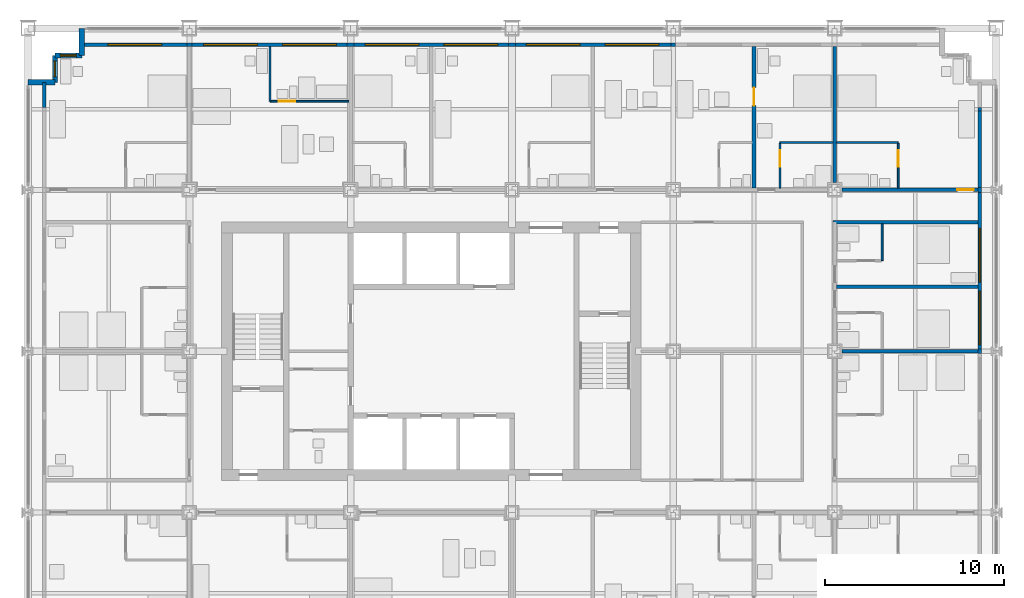
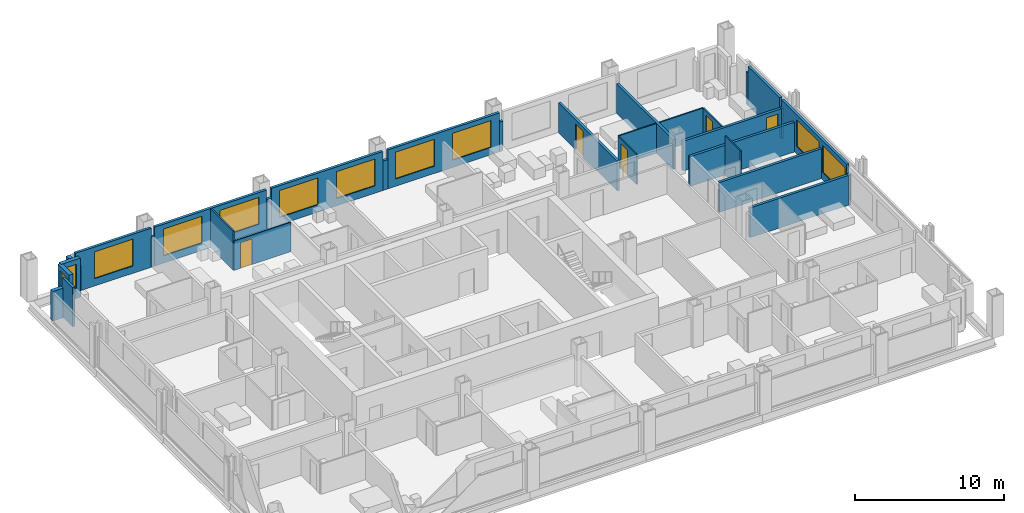
# One storey, part 14 of 18: 31 walls, 11 windows, 5 doors, 16 openings.
"""IFC4 building model written with IfcOpenShell, lengths in metres."""

import ifcopenshell
import ifcopenshell.guid

model = None  # the IFC model being written
_history = None  # IfcOwnerHistory: only IFC2X3 demands one
_inside = {}  # id of a spatial element -> (the spatial element, [elements in it])
_under = {}  # id of a project, library or spatial element -> (it, [spatial elements below it])
_declared = {}  # id of a project -> (the project, [libraries it declares])
_typed = {}  # id of a type object -> (the type object, [elements of that type])
_made_of = {}  # id of a material, layer set ... -> (it, [elements and type objects made of it])


def new_model(schema):
    """Start an empty IFC model of exactly this schema.

    Asked for "IFC4X3", IfcOpenShell would pick the latest addendum, in which some entities
    have other attributes; the version numbers below select the first issue.
    IFC2X3 requires an IfcOwnerHistory on every rooted entity: one is made here for all.
    """
    global model, _history
    if schema == "IFC4X3":
        model = ifcopenshell.file(schema_version=(4, 3, 0, 0))
    else:
        model = ifcopenshell.file(schema=schema)
    _inside.clear()
    _under.clear()
    _declared.clear()
    _typed.clear()
    _made_of.clear()
    _history = None
    if model.schema == "IFC2X3":
        org = make("IfcOrganization", Name="unknown")
        user = make(
            "IfcPersonAndOrganization",
            ThePerson=make("IfcPerson", FamilyName="unknown"),
            TheOrganization=org,
        )
        app = make(
            "IfcApplication",
            ApplicationDeveloper=org,
            Version="unknown",
            ApplicationFullName="unknown",
            ApplicationIdentifier="unknown",
        )
        _history = make(
            "IfcOwnerHistory",
            OwningUser=user,
            OwningApplication=app,
            ChangeAction="ADDED",
            CreationDate=0,
        )
    return model


def make(cls, **values):
    """One entity of the class cls with the attributes given. An attribute that is None is left unset."""
    return model.create_entity(
        cls, **{name: value for name, value in values.items() if value is not None}
    )


def rooted(cls, **values):
    """An entity with a GlobalId (a new one), such as an element, a storey or a relation."""
    return make(cls, GlobalId=ifcopenshell.guid.new(), OwnerHistory=_history, **values)


def si_unit(unit_type, name, prefix=None):
    """IfcSIUnit, for example si_unit("LENGTHUNIT", "METRE", prefix="MILLI")."""
    return make("IfcSIUnit", UnitType=unit_type, Prefix=prefix, Name=name)


def assignment(units):
    """IfcUnitAssignment: the units of a project."""
    return None if units is None else make("IfcUnitAssignment", Units=units)


def point(xyz):
    """IfcCartesianPoint."""
    return None if xyz is None else make("IfcCartesianPoint", Coordinates=xyz)


def direction(xyz):
    """IfcDirection."""
    return None if xyz is None else make("IfcDirection", DirectionRatios=xyz)


def frame(location, z_axis=None, x_axis=None):
    """IfcAxis2Placement3D, a coordinate frame: its origin and axes. An axis left out is left unset."""
    return make(
        "IfcAxis2Placement3D",
        Location=point(location),
        Axis=direction(z_axis),
        RefDirection=direction(x_axis),
    )


def frame_2d(location, x_axis=None):
    """IfcAxis2Placement2D, a coordinate frame in the plane: its origin and x axis."""
    return make(
        "IfcAxis2Placement2D", Location=point(location), RefDirection=direction(x_axis)
    )


def origin():
    """The frame at (0, 0, 0) with its axes left unset."""
    return frame((0.0, 0.0, 0.0))


def place(relative_to, where):
    """IfcLocalPlacement: puts the frame where relative to a parent placement (None: the world)."""
    return make(
        "IfcLocalPlacement", PlacementRelTo=relative_to, RelativePlacement=where
    )


def context(
    kind, dimensions, precision=None, world=None, true_north=None, identifier=None
):
    """IfcGeometricRepresentationContext, for example the 3D "Model" context."""
    return make(
        "IfcGeometricRepresentationContext",
        ContextIdentifier=identifier,
        ContextType=kind,
        CoordinateSpaceDimension=dimensions,
        Precision=precision,
        WorldCoordinateSystem=world,
        TrueNorth=true_north,
    )


def subcontext(parent, identifier, kind, view, scale=None):
    """IfcGeometricRepresentationSubContext, for example "Body" below "Model"."""
    return make(
        "IfcGeometricRepresentationSubContext",
        ContextIdentifier=identifier,
        ContextType=kind,
        ParentContext=parent,
        TargetScale=scale,
        TargetView=view,
    )


def project(units=None, contexts=None):
    """IfcProject with its units and contexts."""
    return rooted(
        "IfcProject",
        Name="project",
        RepresentationContexts=contexts,
        UnitsInContext=assignment(units),
    )


def spatial(cls, under=None, at=None, **own):
    """A site, building, storey or space (cls), placed at a placement, below another one or the project."""
    s = rooted(cls, ObjectPlacement=at, **own)
    if under is not None:
        _under.setdefault(under.id(), (under, []))[1].append(s)
    return s


def profile(cls, at=None, kind="AREA", **sizes):
    """A parametric profile (cls). Its sizes go by their IFC names, for example OverallWidth=200.0."""
    return make(cls, ProfileType=kind, Position=at, **sizes)


def rectangle(**sizes):
    """IfcRectangleProfileDef."""
    return profile("IfcRectangleProfileDef", **sizes)


def extrude(swept, where, along, depth):
    """IfcExtrudedAreaSolid: the profile swept, set in the frame where, extruded along a direction by depth."""
    return make(
        "IfcExtrudedAreaSolid",
        SweptArea=swept,
        Position=where,
        ExtrudedDirection=direction(along),
        Depth=depth,
    )


def shape(context_of_items, identifier, shape_type, items):
    """IfcShapeRepresentation: the items that make up one representation, for example the "Body"."""
    return make(
        "IfcShapeRepresentation",
        ContextOfItems=context_of_items,
        RepresentationIdentifier=identifier,
        RepresentationType=shape_type,
        Items=items,
    )


def material(Name=None, Category=None):
    """IfcMaterial."""
    return make("IfcMaterial", Name=Name, Category=Category)


def layer(
    of_material, thickness, ventilated=None, Name=None, Category=None, Priority=None
):
    """IfcMaterialLayer: one layer of a wall or slab, of a material (None: an air gap)."""
    return make(
        "IfcMaterialLayer",
        Material=of_material,
        LayerThickness=thickness,
        IsVentilated=ventilated,
        Name=Name,
        Category=Category,
        Priority=Priority,
    )


def layer_set(layers, Name=None):
    """IfcMaterialLayerSet."""
    return make("IfcMaterialLayerSet", MaterialLayers=layers, LayerSetName=Name)


def made_of(thing, what):
    """Note that an element or type object is made of a material, layer set ...; save() writes the relation."""
    if what is not None:
        _made_of.setdefault(what.id(), (what, []))[1].append(thing)
    return thing


def type_object(cls, material=None, **own):
    """A type object (cls), such as IfcWallType, which elements share."""
    return made_of(rooted(cls, **own), material)


def element(
    cls,
    number,
    at=None,
    inside=None,
    cuts=None,
    type_object=None,
    material=None,
    context=None,
    identifier="Body",
    shape_type=None,
    held_by="IfcProductDefinitionShape",
    body=None,
    shapes=None,
    **own,
):
    """One element of the class cls, such as IfcWall. Its Tag is "e" and its number.

    at: its placement. inside: the storey or other place that contains it. cuts: it is an
    opening in that element (IfcRelVoidsElement). A single representation is given by context,
    identifier, shape_type and body (its items); several are given by shapes. held_by: the class
    of the entity that holds the representations. save() writes the other relations.
    """
    e = rooted(cls, Tag="e%d" % number, ObjectPlacement=at, **own)
    if body is not None:
        shapes = [shape(context, identifier, shape_type, body)]
    if shapes is not None:
        e.Representation = make(held_by, Representations=shapes)
    if inside is not None:
        _inside.setdefault(inside.id(), (inside, []))[1].append(e)
    if cuts is not None:
        rooted(
            "IfcRelVoidsElement", RelatingBuildingElement=cuts, RelatedOpeningElement=e
        )
    if type_object is not None:
        _typed.setdefault(type_object.id(), (type_object, []))[1].append(e)
    return made_of(e, material)


def fill(opening, filler):
    """IfcRelFillsElement: the door or window that sits in an opening."""
    return rooted(
        "IfcRelFillsElement",
        RelatingOpeningElement=opening,
        RelatedBuildingElement=filler,
    )


def aggregate(whole, parts):
    """IfcRelAggregates: a whole, such as a stair, and the parts it consists of."""
    return rooted("IfcRelAggregates", RelatingObject=whole, RelatedObjects=parts)


def save(model, path):
    """Write the relations noted so far, then the file.

    IfcRelAggregates (storeys below a building ...), IfcRelContainedInSpatialStructure (elements
    in a storey), IfcRelDefinesByType, IfcRelAssociatesMaterial and IfcRelDeclares: one each for
    every whole, place, type object, material and project.
    """
    for whole, parts in _under.values():
        aggregate(whole, parts)
    for where, things in _inside.values():
        rooted(
            "IfcRelContainedInSpatialStructure",
            RelatedElements=things,
            RelatingStructure=where,
        )
    for kind, things in _typed.values():
        rooted("IfcRelDefinesByType", RelatedObjects=things, RelatingType=kind)
    for what, things in _made_of.values():
        rooted("IfcRelAssociatesMaterial", RelatedObjects=things, RelatingMaterial=what)
    for by, libraries in _declared.values():
        rooted("IfcRelDeclares", RelatingContext=by, RelatedDefinitions=libraries)
    model.write(path)


model = new_model("IFC4")

# Units and contexts
model_context = context("Model", 3, precision=1e-05, world=origin(), true_north=direction((0.0, 1.0)))
body_context = subcontext(model_context, "Body", "Model", "MODEL_VIEW")
ifc_project = project(units=[si_unit("LENGTHUNIT", "METRE"), si_unit("AREAUNIT", "SQUARE_METRE"), si_unit("VOLUMEUNIT", "CUBIC_METRE"), si_unit("PLANEANGLEUNIT", "RADIAN"), si_unit("MASSUNIT", "GRAM", prefix="KILO")], contexts=[model_context])

# Site, building, storey
site_placement = place(None, origin())
site = spatial("IfcSite", under=ifc_project, at=site_placement, CompositionType="ELEMENT")
building_placement = place(site_placement, origin())
building = spatial("IfcBuilding", under=site, at=building_placement, Name="Loomwork Tower", CompositionType="ELEMENT")
storey_placement = place(building_placement, frame((0.0, 0.0, 72.199951171875)))
storey = spatial("IfcBuildingStorey", under=building, at=storey_placement, Name="L18", CompositionType="ELEMENT", Elevation=72.199951171875)

# Wall, opening, door
ifc_material_1 = material(Name="Gypsum board on steel studs, one-hour", Category="steel")
ifc_layer_1 = layer(ifc_material_1, 0.199951171875)
ifc_layer_set_1 = layer_set([ifc_layer_1], Name="Corridor wall 200")
wall_type_1 = type_object("IfcWallType", Name="Corridor wall 200", PredefinedType="PARTITIONING", material=ifc_layer_set_1)
wall_1_placement = place(storey_placement, frame((45.39990234375, 27.0, 0.0), z_axis=(0.0, 0.0, 1.0), x_axis=(1.0, 0.0, 0.0)))
wall_1 = element("IfcWall", 1, at=wall_1_placement, inside=storey, type_object=wall_type_1, Name="North corridor wall 6", PredefinedType="PARTITIONING", context=body_context, shape_type="SweptSolid", body=[
    extrude(rectangle(XDim=7.60009765625, YDim=0.199951171875, at=frame_2d((3.800048828125, 0.0))), origin(), (0.0, 0.0, 1.0), 2.43798828125),
])
opening_1_placement = place(wall_1_placement, frame((6.449951171875, 0.0, 0.0)))
opening_1 = element("IfcOpeningElement", 2, at=opening_1_placement, cuts=wall_1, Name="Opening D1", PredefinedType="OPENING", context=body_context, shape_type="SweptSolid", body=[
    extrude(rectangle(XDim=0.89990234375, YDim=2.10009765625, at=frame_2d((0.449951171875, 1.050048828125))), frame((0.0, 0.10986328125, 0.0), z_axis=(0.0, -1.0, 0.0), x_axis=(1.0, 0.0, 0.0)), (0.0, 0.0, 1.0), 0.219970703125),
])
ifc_material_2 = material(Name="Hollow metal door and frame")
door_type_1 = type_object("IfcDoorType", Name="Guest room entry door 900", OperationType="SINGLE_SWING_LEFT", PredefinedType="DOOR", material=ifc_material_2)
door_1_placement = place(opening_1_placement, origin())
door_1 = element("IfcDoor", 3, at=door_1_placement, inside=storey, type_object=door_type_1, Name="Guest room entry door L18 13", OperationType="SINGLE_SWING_RIGHT", OverallHeight=2.10009765625, OverallWidth=0.89990234375, PredefinedType="DOOR", context=body_context, shape_type="SweptSolid", body=[
    extrude(rectangle(XDim=0.89990234375, YDim=2.10009765625, at=frame_2d((0.449951171875, 1.050048828125))), frame((0.0, 0.02490234375, 0.0), z_axis=(0.0, -1.0, 0.0), x_axis=(1.0, 0.0, 0.0)), (0.0, 0.0, 1.0), 0.050048828125),
])
fill(opening_1, door_1)

# Wall
wall_2_placement = place(storey_placement, frame((44.89990234375, 25.199951171875, 0.0), z_axis=(0.0, 0.0, 1.0), x_axis=(1.0, 0.0, 0.0)))
element("IfcWall", 4, at=wall_2_placement, inside=storey, type_object=wall_type_1, Name="East band end wall N", PredefinedType="PARTITIONING", context=body_context, shape_type="SweptSolid", body=[
    extrude(rectangle(XDim=8.10009765625, YDim=0.199951171875, at=frame_2d((4.050048828125, 0.0))), origin(), (0.0, 0.0, 1.0), 2.43798828125),
])

# Wall, opening, door
ifc_material_3 = material(Name="Cement board on steel studs", Category="steel")
ifc_layer_2 = layer(ifc_material_3, 0.10009765625)
ifc_layer_set_2 = layer_set([ifc_layer_2], Name="En-suite partition 100")
wall_type_2 = type_object("IfcWallType", Name="En-suite partition 100", PredefinedType="PARTITIONING", material=ifc_layer_set_2)
wall_3_placement = place(storey_placement, frame((13.5, 31.949951171875, 0.0), z_axis=(0.0, 0.0, 1.0), x_axis=(1.0, 0.0, 0.0)))
wall_3 = element("IfcWall", 5, at=wall_3_placement, inside=storey, type_object=wall_type_2, Name="Spa bathroom wall L18 room 8", PredefinedType="PARTITIONING", context=body_context, shape_type="SweptSolid", body=[
    extrude(rectangle(XDim=4.39990234375, YDim=0.10009765625, at=frame_2d((2.199951171875, 0.0))), origin(), (0.0, 0.0, 1.0), 2.404052734375),
])
opening_2_placement = place(wall_3_placement, frame((0.5, 0.0, 0.0)))
opening_2 = element("IfcOpeningElement", 6, at=opening_2_placement, cuts=wall_3, Name="Opening D2", PredefinedType="OPENING", context=body_context, shape_type="SweptSolid", body=[
    extrude(rectangle(XDim=0.89990234375, YDim=2.10009765625, at=frame_2d((0.449951171875, 1.050048828125))), frame((0.0, 0.06005859375, 0.0), z_axis=(0.0, -1.0, 0.0), x_axis=(1.0, 0.0, 0.0)), (0.0, 0.0, 1.0), 0.1201171875),
])
ifc_material_4 = material(Name="Hollow metal door and frame")
door_type_2 = type_object("IfcDoorType", Name="En-suite door 900", OperationType="SINGLE_SWING_LEFT", PredefinedType="DOOR", material=ifc_material_4)
door_2_placement = place(opening_2_placement, origin())
door_2 = element("IfcDoor", 7, at=door_2_placement, inside=storey, type_object=door_type_2, Name="Spa bathroom door room 8", OperationType="SINGLE_SWING_LEFT", OverallHeight=2.10009765625, OverallWidth=0.89990234375, PredefinedType="DOOR", context=body_context, shape_type="SweptSolid", body=[
    extrude(rectangle(XDim=0.89990234375, YDim=2.10009765625, at=frame_2d((0.449951171875, 1.050048828125))), frame((0.0, 0.02490234375, 0.0), z_axis=(0.0, -1.0, 0.0), x_axis=(1.0, 0.0, 0.0)), (0.0, 0.0, 1.0), 0.050048828125),
])
fill(opening_2, door_2)

# Walls
wall_4_placement = place(storey_placement, frame((13.5, 31.949951171875, 0.0), z_axis=(0.0, 0.0, 1.0), x_axis=(0.0, 1.0, 0.0)))
element("IfcWall", 8, at=wall_4_placement, inside=storey, type_object=wall_type_2, Name="Spa bathroom side wall L18 room 8", PredefinedType="PARTITIONING", context=body_context, shape_type="SweptSolid", body=[
    extrude(rectangle(XDim=3.050048828125, YDim=0.10009765625, at=frame_2d((1.52490234375, 0.0))), origin(), (0.0, 0.0, 1.0), 3.199951171875),
])
wall_5_placement = place(storey_placement, frame((41.949951171875, 29.64990234375, 0.0), z_axis=(0.0, 0.0, 1.0), x_axis=(1.0, 0.0, 0.0)))
element("IfcWall", 9, at=wall_5_placement, inside=storey, type_object=wall_type_2, Name="En-suite wall L18 room 12", PredefinedType="PARTITIONING", context=body_context, shape_type="SweptSolid", body=[
    extrude(rectangle(XDim=2.949951171875, YDim=0.10009765625, at=frame_2d((1.47509765625, 0.0))), origin(), (0.0, 0.0, 1.0), 2.43798828125),
])

# Wall, opening, door
wall_6_placement = place(storey_placement, frame((41.949951171875, 27.10009765625, 0.0), z_axis=(0.0, 0.0, 1.0), x_axis=(0.0, 1.0, 0.0)))
wall_6 = element("IfcWall", 10, at=wall_6_placement, inside=storey, type_object=wall_type_2, Name="En-suite side wall L18 room 12", PredefinedType="PARTITIONING", context=body_context, shape_type="SweptSolid", body=[
    extrude(rectangle(XDim=2.5, YDim=0.10009765625, at=frame_2d((1.25, 0.0))), origin(), (0.0, 0.0, 1.0), 2.43798828125),
])
opening_3_placement = place(wall_6_placement, frame((1.199951171875, 0.0, 0.0)))
opening_3 = element("IfcOpeningElement", 11, at=opening_3_placement, cuts=wall_6, Name="Opening D2", PredefinedType="OPENING", context=body_context, shape_type="SweptSolid", body=[
    extrude(rectangle(XDim=0.89990234375, YDim=2.10009765625, at=frame_2d((0.449951171875, 1.050048828125))), frame((0.0, 0.06005859375, 0.0), z_axis=(0.0, -1.0, 0.0), x_axis=(1.0, 0.0, 0.0)), (0.0, 0.0, 1.0), 0.1201171875),
])
door_3_placement = place(opening_3_placement, frame((0.89990234375, 0.0, 0.0), z_axis=(0.0, 0.0, 1.0), x_axis=(-1.0, 0.0, 0.0)))
door_3 = element("IfcDoor", 12, at=door_3_placement, inside=storey, type_object=door_type_2, Name="En-suite door room 12", OperationType="SINGLE_SWING_LEFT", OverallHeight=2.10009765625, OverallWidth=0.89990234375, PredefinedType="DOOR", context=body_context, shape_type="SweptSolid", body=[
    extrude(rectangle(XDim=0.89990234375, YDim=2.10009765625, at=frame_2d((0.449951171875, 1.050048828125))), frame((0.0, 0.02490234375, 0.0), z_axis=(0.0, -1.0, 0.0), x_axis=(1.0, 0.0, 0.0)), (0.0, 0.0, 1.0), 0.050048828125),
])
fill(opening_3, door_3)

# Wall
wall_7_placement = place(storey_placement, frame((45.10009765625, 29.64990234375, 0.0), z_axis=(0.0, 0.0, 1.0), x_axis=(1.0, 0.0, 0.0)))
element("IfcWall", 13, at=wall_7_placement, inside=storey, type_object=wall_type_2, Name="En-suite wall L18 room 13", PredefinedType="PARTITIONING", context=body_context, shape_type="SweptSolid", body=[
    extrude(rectangle(XDim=3.449951171875, YDim=0.10009765625, at=frame_2d((1.72509765625, 0.0))), origin(), (0.0, 0.0, 1.0), 2.43798828125),
])

# Wall, opening, door
wall_8_placement = place(storey_placement, frame((48.550048828125, 27.10009765625, 0.0), z_axis=(0.0, 0.0, 1.0), x_axis=(0.0, 1.0, 0.0)))
wall_8 = element("IfcWall", 14, at=wall_8_placement, inside=storey, type_object=wall_type_2, Name="En-suite side wall L18 room 13", PredefinedType="PARTITIONING", context=body_context, shape_type="SweptSolid", body=[
    extrude(rectangle(XDim=2.5, YDim=0.10009765625, at=frame_2d((1.25, 0.0))), origin(), (0.0, 0.0, 1.0), 2.43798828125),
])
opening_4_placement = place(wall_8_placement, frame((1.199951171875, 0.0, 0.0)))
opening_4 = element("IfcOpeningElement", 15, at=opening_4_placement, cuts=wall_8, Name="Opening D2", PredefinedType="OPENING", context=body_context, shape_type="SweptSolid", body=[
    extrude(rectangle(XDim=0.89990234375, YDim=2.10009765625, at=frame_2d((0.449951171875, 1.050048828125))), frame((0.0, 0.06005859375, 0.0), z_axis=(0.0, -1.0, 0.0), x_axis=(1.0, 0.0, 0.0)), (0.0, 0.0, 1.0), 0.1201171875),
])
door_4_placement = place(opening_4_placement, origin())
door_4 = element("IfcDoor", 16, at=door_4_placement, inside=storey, type_object=door_type_2, Name="En-suite door room 13", OperationType="SINGLE_SWING_RIGHT", OverallHeight=2.10009765625, OverallWidth=0.89990234375, PredefinedType="DOOR", context=body_context, shape_type="SweptSolid", body=[
    extrude(rectangle(XDim=0.89990234375, YDim=2.10009765625, at=frame_2d((0.449951171875, 1.050048828125))), frame((0.0, 0.02490234375, 0.0), z_axis=(0.0, -1.0, 0.0), x_axis=(1.0, 0.0, 0.0)), (0.0, 0.0, 1.0), 0.050048828125),
])
fill(opening_4, door_4)

# Wall
wall_9_placement = place(storey_placement, frame((47.64990234375, 23.050048828125, 0.0), z_axis=(0.0, 0.0, 1.0), x_axis=(0.0, 1.0, 0.0)))
element("IfcWall", 17, at=wall_9_placement, inside=storey, type_object=wall_type_2, Name="En-suite wall L18 room 18", PredefinedType="PARTITIONING", context=body_context, shape_type="SweptSolid", body=[
    extrude(rectangle(XDim=2.050048828125, YDim=0.10009765625, at=frame_2d((1.02490234375, 0.0))), origin(), (0.0, 0.0, 1.0), 3.199951171875),
])

# Wall, opening, door
ifc_material_5 = material(Name="Gypsum board on steel studs, acoustic", Category="steel")
ifc_layer_3 = layer(ifc_material_5, 0.199951171875)
ifc_layer_set_3 = layer_set([ifc_layer_3], Name="Guest room party wall 200")
wall_type_3 = type_object("IfcWallType", Name="Guest room party wall 200", PredefinedType="PARTITIONING", material=ifc_layer_set_3)
wall_10_placement = place(storey_placement, frame((40.5, 27.10009765625, 0.0), z_axis=(0.0, 0.0, 1.0), x_axis=(0.0, 1.0, 0.0)))
wall_10 = element("IfcWall", 18, at=wall_10_placement, inside=storey, type_object=wall_type_3, Name="Guest room party wall N 40.5", PredefinedType="PARTITIONING", context=body_context, shape_type="SweptSolid", body=[
    extrude(rectangle(XDim=7.89990234375, YDim=0.199951171875, at=frame_2d((3.949951171875, 0.0))), origin(), (0.0, 0.0, 1.0), 2.43798828125),
])
opening_5_placement = place(wall_10_placement, frame((4.60009765625, 0.0, 0.0)))
opening_5 = element("IfcOpeningElement", 19, at=opening_5_placement, cuts=wall_10, Name="Opening D7", PredefinedType="OPENING", context=body_context, shape_type="SweptSolid", body=[
    extrude(rectangle(XDim=1.0, YDim=2.10009765625, at=frame_2d((0.5, 1.050048828125))), frame((0.0, 0.10986328125, 0.0), z_axis=(0.0, -1.0, 0.0), x_axis=(1.0, 0.0, 0.0)), (0.0, 0.0, 1.0), 0.219970703125),
])
ifc_material_6 = material(Name="Hollow metal door and frame")
door_type_3 = type_object("IfcDoorType", Name="Room door 1000", OperationType="SINGLE_SWING_LEFT", PredefinedType="DOOR", material=ifc_material_6)
door_5_placement = place(opening_5_placement, frame((1.0, 0.0, 0.0), z_axis=(0.0, 0.0, 1.0), x_axis=(-1.0, 0.0, 0.0)))
door_5 = element("IfcDoor", 20, at=door_5_placement, inside=storey, type_object=door_type_3, Name="Suite connecting door L18 N 40.5", OperationType="SINGLE_SWING_RIGHT", OverallHeight=2.10009765625, OverallWidth=1.0, PredefinedType="DOOR", context=body_context, shape_type="SweptSolid", body=[
    extrude(rectangle(XDim=1.0, YDim=2.10009765625, at=frame_2d((0.5, 1.050048828125))), frame((0.0, 0.02490234375, 0.0), z_axis=(0.0, -1.0, 0.0), x_axis=(1.0, 0.0, 0.0)), (0.0, 0.0, 1.0), 0.050048828125),
])
fill(opening_5, door_5)

# Walls
for number, where, z_axis, x_axis, name in (
    (21, (45.0, 27.39990234375, 0.0), (0.0, 0.0, 1.0), (0.0, 1.0, 0.0), "Guest room party wall N 45"),
    (22, (45.39990234375, 18.0, 0.0), (0.0, 0.0, 1.0), (1.0, 0.0, 0.0), "Guest room party wall E 18"),
):
    element("IfcWall", number, at=place(storey_placement, frame(where, z_axis=z_axis, x_axis=x_axis)), inside=storey, type_object=wall_type_3, Name=name, PredefinedType="PARTITIONING", context=body_context, shape_type="SweptSolid", body=[
        extrude(rectangle(XDim=7.60009765625, YDim=0.199951171875, at=frame_2d((3.800048828125, 0.0))), origin(), (0.0, 0.0, 1.0), 2.43798828125),
    ])
wall_11_placement = place(storey_placement, frame((45.10009765625, 21.60009765625, 0.0), z_axis=(0.0, 0.0, 1.0), x_axis=(1.0, 0.0, 0.0)))
element("IfcWall", 23, at=wall_11_placement, inside=storey, type_object=wall_type_3, Name="Guest room party wall E 21.6", PredefinedType="PARTITIONING", context=body_context, shape_type="SweptSolid", body=[
    extrude(rectangle(XDim=7.89990234375, YDim=0.199951171875, at=frame_2d((3.949951171875, 0.0))), origin(), (0.0, 0.0, 1.0), 2.43798828125),
])

# Wall, opening, window
ifc_material_7 = material(Name="Insulated steel stud wall with gypsum lining", Category="steel")
ifc_layer_4 = layer(ifc_material_7, 0.199951171875)
ifc_layer_set_4 = layer_set([ifc_layer_4], Name="Inner skin wall 200")
wall_type_4 = type_object("IfcWallType", Name="Inner skin wall 200", PredefinedType="SOLIDWALL", material=ifc_layer_set_4)
wall_12_placement = place(storey_placement, frame((3.0, 35.10009765625, 0.0), z_axis=(0.0, 0.0, 1.0), x_axis=(1.0, 0.0, 0.0)))
wall_12 = element("IfcWall", 24, at=wall_12_placement, inside=storey, type_object=wall_type_4, Name="Inner skin wall N", PredefinedType="SOLIDWALL", context=body_context, shape_type="SweptSolid", body=[
    extrude(rectangle(XDim=5.86474609375, YDim=0.199951171875, at=frame_2d((2.932373046875, 0.0))), origin(), (0.0, 0.0, 1.0), 3.199951171875),
])
opening_6_placement = place(wall_12_placement, frame((1.449951171875, 0.0, 0.60009765625)))
opening_6 = element("IfcOpeningElement", 25, at=opening_6_placement, cuts=wall_12, Name="Opening CH1", PredefinedType="OPENING", context=body_context, shape_type="SweptSolid", body=[
    extrude(rectangle(XDim=3.0, YDim=2.199951171875, at=frame_2d((1.5, 1.10009765625))), frame((0.0, 0.10986328125, 0.0), z_axis=(0.0, -1.0, 0.0), x_axis=(1.0, 0.0, 0.0)), (0.0, 0.0, 1.0), 0.219970703125),
])
ifc_material_8 = material(Name="Aluminium frame with clear insulated glass", Category="aluminium")
window_type_1 = type_object("IfcWindowType", Name="Chicago window 3000", PartitioningType="TRIPLE_PANEL_VERTICAL", PredefinedType="WINDOW", material=ifc_material_8)
window_1_placement = place(opening_6_placement, origin())
window_1 = element("IfcWindow", 26, at=window_1_placement, inside=storey, type_object=window_type_1, Name="Chicago window L18 bay 7", OverallHeight=2.199951171875, OverallWidth=3.0, PartitioningType="TRIPLE_PANEL_VERTICAL", PredefinedType="WINDOW", context=body_context, shape_type="SweptSolid", body=[
    extrude(rectangle(XDim=3.0, YDim=2.199951171875, at=frame_2d((1.5, 1.10009765625))), frame((0.0, 0.030029296875, 0.0), z_axis=(0.0, -1.0, 0.0), x_axis=(1.0, 0.0, 0.0)), (0.0, 0.0, 1.0), 0.06005859375),
])
fill(opening_6, window_1)

# Walls
wall_13_placement = place(storey_placement, frame((0.89990234375, 31.607421875, 0.0), z_axis=(0.0, 0.0, 1.0), x_axis=(0.0, 1.0, 0.0)))
element("IfcWall", 27, at=wall_13_placement, inside=storey, type_object=wall_type_4, Name="Inner skin wall W bay 11", PredefinedType="SOLIDWALL", context=body_context, shape_type="SweptSolid", body=[
    extrude(rectangle(XDim=1.392578125, YDim=0.199951171875, at=frame_2d((0.6962890625, 0.0))), origin(), (0.0, 0.0, 1.0), 3.199951171875),
])
wall_14_placement = place(storey_placement, frame((8.86474609375, 35.10009765625, 0.0), z_axis=(0.0, 0.0, 1.0), x_axis=(1.0, 0.0, 0.0)))
element("IfcWall", 28, at=wall_14_placement, inside=storey, type_object=wall_type_4, Name="Inner skin wall N bay 2", PredefinedType="SOLIDWALL", context=body_context, shape_type="SweptSolid", body=[
    extrude(rectangle(XDim=0.2705078125, YDim=0.199951171875, at=frame_2d((0.13525390625, 0.0))), origin(), (0.0, 0.0, 1.0), 2.43798828125),
])

# Wall, openings, windows
wall_15_placement = place(storey_placement, frame((9.13525390625, 35.10009765625, 0.0), z_axis=(0.0, 0.0, 1.0), x_axis=(1.0, 0.0, 0.0)))
wall_15 = element("IfcWall", 29, at=wall_15_placement, inside=storey, type_object=wall_type_4, Name="Inner skin wall N bay 3", PredefinedType="SOLIDWALL", context=body_context, shape_type="SweptSolid", body=[
    extrude(rectangle(XDim=8.6708984375, YDim=0.199951171875, at=frame_2d((4.33544921875, 0.0))), origin(), (0.0, 0.0, 1.0), 3.199951171875),
])
opening_7_placement = place(wall_15_placement, frame((0.664794921875, 0.0, 0.60009765625)))
opening_7 = element("IfcOpeningElement", 30, at=opening_7_placement, cuts=wall_15, Name="Opening CH1", PredefinedType="OPENING", context=body_context, shape_type="SweptSolid", body=[
    extrude(rectangle(XDim=3.0, YDim=2.199951171875, at=frame_2d((1.5, 1.10009765625))), frame((0.0, 0.10986328125, 0.0), z_axis=(0.0, -1.0, 0.0), x_axis=(1.0, 0.0, 0.0)), (0.0, 0.0, 1.0), 0.219970703125),
])
opening_8_placement = place(wall_15_placement, frame((5.064697265625, 0.0, 0.60009765625)))
opening_8 = element("IfcOpeningElement", 31, at=opening_8_placement, cuts=wall_15, Name="Opening CH1", PredefinedType="OPENING", context=body_context, shape_type="SweptSolid", body=[
    extrude(rectangle(XDim=3.0, YDim=2.199951171875, at=frame_2d((1.5, 1.10009765625))), frame((0.0, 0.10986328125, 0.0), z_axis=(0.0, -1.0, 0.0), x_axis=(1.0, 0.0, 0.0)), (0.0, 0.0, 1.0), 0.219970703125),
])
window_2_placement = place(opening_7_placement, origin())
window_2 = element("IfcWindow", 32, at=window_2_placement, inside=storey, type_object=window_type_1, Name="Chicago window L18 bay 8", OverallHeight=2.199951171875, OverallWidth=3.0, PartitioningType="TRIPLE_PANEL_VERTICAL", PredefinedType="WINDOW", context=body_context, shape_type="SweptSolid", body=[
    extrude(rectangle(XDim=3.0, YDim=2.199951171875, at=frame_2d((1.5, 1.10009765625))), frame((0.0, 0.030029296875, 0.0), z_axis=(0.0, -1.0, 0.0), x_axis=(1.0, 0.0, 0.0)), (0.0, 0.0, 1.0), 0.06005859375),
])
fill(opening_7, window_2)
window_3_placement = place(opening_8_placement, origin())
window_3 = element("IfcWindow", 33, at=window_3_placement, inside=storey, type_object=window_type_1, Name="Chicago window L18 bay 8", OverallHeight=2.199951171875, OverallWidth=3.0, PartitioningType="TRIPLE_PANEL_VERTICAL", PredefinedType="WINDOW", context=body_context, shape_type="SweptSolid", body=[
    extrude(rectangle(XDim=3.0, YDim=2.199951171875, at=frame_2d((1.5, 1.10009765625))), frame((0.0, 0.030029296875, 0.0), z_axis=(0.0, -1.0, 0.0), x_axis=(1.0, 0.0, 0.0)), (0.0, 0.0, 1.0), 0.06005859375),
])
fill(opening_8, window_3)

# Wall
wall_16_placement = place(storey_placement, frame((17.80615234375, 35.10009765625, 0.0), z_axis=(0.0, 0.0, 1.0), x_axis=(1.0, 0.0, 0.0)))
element("IfcWall", 34, at=wall_16_placement, inside=storey, type_object=wall_type_4, Name="Inner skin wall N bay 4", PredefinedType="SOLIDWALL", context=body_context, shape_type="SweptSolid", body=[
    extrude(rectangle(XDim=0.3876953125, YDim=0.199951171875, at=frame_2d((0.19384765625, 0.0))), origin(), (0.0, 0.0, 1.0), 2.404052734375),
])

# Wall, openings, windows
wall_17_placement = place(storey_placement, frame((18.19384765625, 35.10009765625, 0.0), z_axis=(0.0, 0.0, 1.0), x_axis=(1.0, 0.0, 0.0)))
wall_17 = element("IfcWall", 35, at=wall_17_placement, inside=storey, type_object=wall_type_4, Name="Inner skin wall N bay 5", PredefinedType="SOLIDWALL", context=body_context, shape_type="SweptSolid", body=[
    extrude(rectangle(XDim=8.6123046875, YDim=0.199951171875, at=frame_2d((4.30615234375, 0.0))), origin(), (0.0, 0.0, 1.0), 3.199951171875),
])
opening_9_placement = place(wall_17_placement, frame((0.606201171875, 0.0, 0.60009765625)))
opening_9 = element("IfcOpeningElement", 36, at=opening_9_placement, cuts=wall_17, Name="Opening CH1", PredefinedType="OPENING", context=body_context, shape_type="SweptSolid", body=[
    extrude(rectangle(XDim=3.0, YDim=2.199951171875, at=frame_2d((1.5, 1.10009765625))), frame((0.0, 0.10986328125, 0.0), z_axis=(0.0, -1.0, 0.0), x_axis=(1.0, 0.0, 0.0)), (0.0, 0.0, 1.0), 0.219970703125),
])
opening_10_placement = place(wall_17_placement, frame((5.006103515625, 0.0, 0.60009765625)))
opening_10 = element("IfcOpeningElement", 37, at=opening_10_placement, cuts=wall_17, Name="Opening CH1", PredefinedType="OPENING", context=body_context, shape_type="SweptSolid", body=[
    extrude(rectangle(XDim=3.0, YDim=2.199951171875, at=frame_2d((1.5, 1.10009765625))), frame((0.0, 0.10986328125, 0.0), z_axis=(0.0, -1.0, 0.0), x_axis=(1.0, 0.0, 0.0)), (0.0, 0.0, 1.0), 0.219970703125),
])
window_4_placement = place(opening_9_placement, origin())
window_4 = element("IfcWindow", 38, at=window_4_placement, inside=storey, type_object=window_type_1, Name="Chicago window L18 bay 9", OverallHeight=2.199951171875, OverallWidth=3.0, PartitioningType="TRIPLE_PANEL_VERTICAL", PredefinedType="WINDOW", context=body_context, shape_type="SweptSolid", body=[
    extrude(rectangle(XDim=3.0, YDim=2.199951171875, at=frame_2d((1.5, 1.10009765625))), frame((0.0, 0.030029296875, 0.0), z_axis=(0.0, -1.0, 0.0), x_axis=(1.0, 0.0, 0.0)), (0.0, 0.0, 1.0), 0.06005859375),
])
fill(opening_9, window_4)
window_5_placement = place(opening_10_placement, origin())
window_5 = element("IfcWindow", 39, at=window_5_placement, inside=storey, type_object=window_type_1, Name="Chicago window L18 bay 9", OverallHeight=2.199951171875, OverallWidth=3.0, PartitioningType="TRIPLE_PANEL_VERTICAL", PredefinedType="WINDOW", context=body_context, shape_type="SweptSolid", body=[
    extrude(rectangle(XDim=3.0, YDim=2.199951171875, at=frame_2d((1.5, 1.10009765625))), frame((0.0, 0.030029296875, 0.0), z_axis=(0.0, -1.0, 0.0), x_axis=(1.0, 0.0, 0.0)), (0.0, 0.0, 1.0), 0.06005859375),
])
fill(opening_10, window_5)

# Wall
wall_18_placement = place(storey_placement, frame((26.80615234375, 35.10009765625, 0.0), z_axis=(0.0, 0.0, 1.0), x_axis=(1.0, 0.0, 0.0)))
element("IfcWall", 40, at=wall_18_placement, inside=storey, type_object=wall_type_4, Name="Inner skin wall N bay 6", PredefinedType="SOLIDWALL", context=body_context, shape_type="SweptSolid", body=[
    extrude(rectangle(XDim=0.3876953125, YDim=0.199951171875, at=frame_2d((0.19384765625, 0.0))), origin(), (0.0, 0.0, 1.0), 2.404052734375),
])

# Wall, openings, windows
wall_19_placement = place(storey_placement, frame((27.19384765625, 35.10009765625, 0.0), z_axis=(0.0, 0.0, 1.0), x_axis=(1.0, 0.0, 0.0)))
wall_19 = element("IfcWall", 41, at=wall_19_placement, inside=storey, type_object=wall_type_4, Name="Inner skin wall N bay 7", PredefinedType="SOLIDWALL", context=body_context, shape_type="SweptSolid", body=[
    extrude(rectangle(XDim=8.670654296875, YDim=0.199951171875, at=frame_2d((4.33544921875, 0.0))), origin(), (0.0, 0.0, 1.0), 3.199951171875),
])
opening_11_placement = place(wall_19_placement, frame((0.606201171875, 0.0, 0.60009765625)))
opening_11 = element("IfcOpeningElement", 42, at=opening_11_placement, cuts=wall_19, Name="Opening CH1", PredefinedType="OPENING", context=body_context, shape_type="SweptSolid", body=[
    extrude(rectangle(XDim=3.0, YDim=2.199951171875, at=frame_2d((1.5, 1.10009765625))), frame((0.0, 0.10986328125, 0.0), z_axis=(0.0, -1.0, 0.0), x_axis=(1.0, 0.0, 0.0)), (0.0, 0.0, 1.0), 0.219970703125),
])
opening_12_placement = place(wall_19_placement, frame((5.006103515625, 0.0, 0.60009765625)))
opening_12 = element("IfcOpeningElement", 43, at=opening_12_placement, cuts=wall_19, Name="Opening CH1", PredefinedType="OPENING", context=body_context, shape_type="SweptSolid", body=[
    extrude(rectangle(XDim=3.0, YDim=2.199951171875, at=frame_2d((1.5, 1.10009765625))), frame((0.0, 0.10986328125, 0.0), z_axis=(0.0, -1.0, 0.0), x_axis=(1.0, 0.0, 0.0)), (0.0, 0.0, 1.0), 0.219970703125),
])
window_6_placement = place(opening_11_placement, origin())
window_6 = element("IfcWindow", 44, at=window_6_placement, inside=storey, type_object=window_type_1, Name="Chicago window L18 bay 10", OverallHeight=2.199951171875, OverallWidth=3.0, PartitioningType="TRIPLE_PANEL_VERTICAL", PredefinedType="WINDOW", context=body_context, shape_type="SweptSolid", body=[
    extrude(rectangle(XDim=3.0, YDim=2.199951171875, at=frame_2d((1.5, 1.10009765625))), frame((0.0, 0.030029296875, 0.0), z_axis=(0.0, -1.0, 0.0), x_axis=(1.0, 0.0, 0.0)), (0.0, 0.0, 1.0), 0.06005859375),
])
fill(opening_11, window_6)
window_7_placement = place(opening_12_placement, origin())
window_7 = element("IfcWindow", 45, at=window_7_placement, inside=storey, type_object=window_type_1, Name="Chicago window L18 bay 10", OverallHeight=2.199951171875, OverallWidth=3.0, PartitioningType="TRIPLE_PANEL_VERTICAL", PredefinedType="WINDOW", context=body_context, shape_type="SweptSolid", body=[
    extrude(rectangle(XDim=3.0, YDim=2.199951171875, at=frame_2d((1.5, 1.10009765625))), frame((0.0, 0.030029296875, 0.0), z_axis=(0.0, -1.0, 0.0), x_axis=(1.0, 0.0, 0.0)), (0.0, 0.0, 1.0), 0.06005859375),
])
fill(opening_12, window_7)

# Walls
for number, where, z_axis, x_axis, name in (
    (46, (35.864501953125, 35.10009765625, 0.0), (0.0, 0.0, 1.0), (1.0, 0.0, 0.0), "Inner skin wall N bay 8"),
    (47, (53.10009765625, 17.864501953125, 0.0), (0.0, 0.0, 1.0), (0.0, 1.0, 0.0), "Inner skin wall E bay 6"),
):
    element("IfcWall", number, at=place(storey_placement, frame(where, z_axis=z_axis, x_axis=x_axis)), inside=storey, type_object=wall_type_4, Name=name, PredefinedType="SOLIDWALL", context=body_context, shape_type="SweptSolid", body=[
        extrude(rectangle(XDim=0.27099609375, YDim=0.199951171875, at=frame_2d((0.135498046875, 0.0))), origin(), (0.0, 0.0, 1.0), 2.43798828125),
    ])

# Wall, openings, windows
wall_20_placement = place(storey_placement, frame((53.10009765625, 18.135498046875, 0.0), z_axis=(0.0, 0.0, 1.0), x_axis=(0.0, 1.0, 0.0)))
wall_20 = element("IfcWall", 48, at=wall_20_placement, inside=storey, type_object=wall_type_4, Name="Inner skin wall E bay 7", PredefinedType="SOLIDWALL", context=body_context, shape_type="SweptSolid", body=[
    extrude(rectangle(XDim=8.729248046875, YDim=0.199951171875, at=frame_2d((4.36474609375, 0.0))), origin(), (0.0, 0.0, 1.0), 3.199951171875),
])
opening_13_placement = place(wall_20_placement, frame((0.214599609375, 0.0, 0.60009765625)))
opening_13 = element("IfcOpeningElement", 49, at=opening_13_placement, cuts=wall_20, Name="Opening CH1", PredefinedType="OPENING", context=body_context, shape_type="SweptSolid", body=[
    extrude(rectangle(XDim=3.0, YDim=2.199951171875, at=frame_2d((1.5, 1.10009765625))), frame((0.0, 0.10986328125, 0.0), z_axis=(0.0, -1.0, 0.0), x_axis=(1.0, 0.0, 0.0)), (0.0, 0.0, 1.0), 0.219970703125),
])
opening_14_placement = place(wall_20_placement, frame((3.714599609375, 0.0, 0.60009765625)))
opening_14 = element("IfcOpeningElement", 50, at=opening_14_placement, cuts=wall_20, Name="Opening CH1", PredefinedType="OPENING", context=body_context, shape_type="SweptSolid", body=[
    extrude(rectangle(XDim=3.0, YDim=2.199951171875, at=frame_2d((1.5, 1.10009765625))), frame((0.0, 0.10986328125, 0.0), z_axis=(0.0, -1.0, 0.0), x_axis=(1.0, 0.0, 0.0)), (0.0, 0.0, 1.0), 0.219970703125),
])
window_8_placement = place(opening_13_placement, origin())
window_8 = element("IfcWindow", 51, at=window_8_placement, inside=storey, type_object=window_type_1, Name="Chicago window L18 bay 16", OverallHeight=2.199951171875, OverallWidth=3.0, PartitioningType="TRIPLE_PANEL_VERTICAL", PredefinedType="WINDOW", context=body_context, shape_type="SweptSolid", body=[
    extrude(rectangle(XDim=3.0, YDim=2.199951171875, at=frame_2d((1.5, 1.10009765625))), frame((0.0, 0.030029296875, 0.0), z_axis=(0.0, -1.0, 0.0), x_axis=(1.0, 0.0, 0.0)), (0.0, 0.0, 1.0), 0.06005859375),
])
fill(opening_13, window_8)
window_9_placement = place(opening_14_placement, origin())
window_9 = element("IfcWindow", 52, at=window_9_placement, inside=storey, type_object=window_type_1, Name="Chicago window L18 bay 16", OverallHeight=2.199951171875, OverallWidth=3.0, PartitioningType="TRIPLE_PANEL_VERTICAL", PredefinedType="WINDOW", context=body_context, shape_type="SweptSolid", body=[
    extrude(rectangle(XDim=3.0, YDim=2.199951171875, at=frame_2d((1.5, 1.10009765625))), frame((0.0, 0.030029296875, 0.0), z_axis=(0.0, -1.0, 0.0), x_axis=(1.0, 0.0, 0.0)), (0.0, 0.0, 1.0), 0.06005859375),
])
fill(opening_14, window_9)

# Walls
wall_21_placement = place(storey_placement, frame((53.10009765625, 26.86474609375, 0.0), z_axis=(0.0, 0.0, 1.0), x_axis=(0.0, 1.0, 0.0)))
element("IfcWall", 53, at=wall_21_placement, inside=storey, type_object=wall_type_4, Name="Inner skin wall E bay 8", PredefinedType="SOLIDWALL", context=body_context, shape_type="SweptSolid", body=[
    extrude(rectangle(XDim=0.2705078125, YDim=0.199951171875, at=frame_2d((0.13525390625, 0.0))), origin(), (0.0, 0.0, 1.0), 2.43798828125),
])
wall_22_placement = place(storey_placement, frame((53.10009765625, 27.13525390625, 0.0), z_axis=(0.0, 0.0, 1.0), x_axis=(0.0, 1.0, 0.0)))
element("IfcWall", 54, at=wall_22_placement, inside=storey, type_object=wall_type_4, Name="Inner skin wall E bay 9", PredefinedType="SOLIDWALL", context=body_context, shape_type="SweptSolid", body=[
    extrude(rectangle(XDim=4.25732421875, YDim=0.199951171875, at=frame_2d((2.128662109375, 0.0))), origin(), (0.0, 0.0, 1.0), 3.199951171875),
])
wall_23_placement = place(storey_placement, frame((53.10009765625, 31.392578125, 0.0), z_axis=(0.0, 0.0, 1.0), x_axis=(0.0, 1.0, 0.0)))
element("IfcWall", 55, at=wall_23_placement, inside=storey, type_object=wall_type_4, Name="Inner skin wall E bay 10", PredefinedType="SOLIDWALL", context=body_context, shape_type="SweptSolid", body=[
    extrude(rectangle(XDim=0.21484375, YDim=0.199951171875, at=frame_2d((0.107421875, 0.0))), origin(), (0.0, 0.0, 1.0), 2.6611328125),
])
ifc_material_9 = material(Name="Limestone on concrete masonry", Category="masonry")
ifc_layer_5 = layer(ifc_material_9, 0.300048828125)
ifc_layer_set_5 = layer_set([ifc_layer_5], Name="Limestone corner wall 300")
wall_type_5 = type_object("IfcWallType", Name="Limestone corner wall 300", PredefinedType="SOLIDWALL", material=ifc_layer_set_5)
wall_24_placement = place(storey_placement, frame((3.0, 36.0, 0.0), z_axis=(0.0, 0.0, 1.0), x_axis=(0.0, -1.0, 0.0)))
element("IfcWall", 56, at=wall_24_placement, inside=storey, type_object=wall_type_5, Name="Stone corner wall NW 1", PredefinedType="SOLIDWALL", context=body_context, shape_type="SweptSolid", body=[
    extrude(rectangle(XDim=1.5, YDim=0.300048828125, at=frame_2d((0.75, 0.0))), origin(), (0.0, 0.0, 1.0), 2.420166015625),
])

# Wall, opening, window
wall_25_placement = place(storey_placement, frame((3.0, 34.5, 0.0), z_axis=(0.0, 0.0, 1.0), x_axis=(-1.0, 0.0, 0.0)))
wall_25 = element("IfcWall", 57, at=wall_25_placement, inside=storey, type_object=wall_type_5, Name="Stone corner wall NW 2", PredefinedType="SOLIDWALL", context=body_context, shape_type="SweptSolid", body=[
    extrude(rectangle(XDim=1.5, YDim=0.300048828125, at=frame_2d((0.75, 0.0))), origin(), (0.0, 0.0, 1.0), 3.199951171875),
])
opening_15_placement = place(wall_25_placement, frame((0.300048828125, 0.0, 0.60009765625)))
opening_15 = element("IfcOpeningElement", 58, at=opening_15_placement, cuts=wall_25, Name="Opening CH2", PredefinedType="OPENING", context=body_context, shape_type="SweptSolid", body=[
    extrude(rectangle(XDim=0.89990234375, YDim=2.199951171875, at=frame_2d((0.449951171875, 1.10009765625))), frame((0.0, 0.159912109375, 0.0), z_axis=(0.0, -1.0, 0.0), x_axis=(1.0, 0.0, 0.0)), (0.0, 0.0, 1.0), 0.320068359375),
])
ifc_material_10 = material(Name="Aluminium frame with clear insulated glass", Category="aluminium")
window_type_2 = type_object("IfcWindowType", Name="Corner window 900", PartitioningType="SINGLE_PANEL", PredefinedType="WINDOW", material=ifc_material_10)
window_10_placement = place(opening_15_placement, origin())
window_10 = element("IfcWindow", 59, at=window_10_placement, inside=storey, type_object=window_type_2, Name="Corner window NW", OverallHeight=2.199951171875, OverallWidth=0.89990234375, PartitioningType="SINGLE_PANEL", PredefinedType="WINDOW", context=body_context, shape_type="SweptSolid", body=[
    extrude(rectangle(XDim=0.89990234375, YDim=2.199951171875, at=frame_2d((0.449951171875, 1.10009765625))), frame((0.0, 0.030029296875, 0.0), z_axis=(0.0, -1.0, 0.0), x_axis=(1.0, 0.0, 0.0)), (0.0, 0.0, 1.0), 0.06005859375),
])
fill(opening_15, window_10)

wall_26_placement = place(storey_placement, frame((1.5, 34.5, 0.0), z_axis=(0.0, 0.0, 1.0), x_axis=(0.0, -1.0, 0.0)))
wall_26 = element("IfcWall", 60, at=wall_26_placement, inside=storey, type_object=wall_type_5, Name="Stone corner wall NW 3", PredefinedType="SOLIDWALL", context=body_context, shape_type="SweptSolid", body=[
    extrude(rectangle(XDim=1.5, YDim=0.300048828125, at=frame_2d((0.75, 0.0))), origin(), (0.0, 0.0, 1.0), 3.199951171875),
])
opening_16_placement = place(wall_26_placement, frame((0.300048828125, 0.0, 0.60009765625)))
opening_16 = element("IfcOpeningElement", 61, at=opening_16_placement, cuts=wall_26, Name="Opening CH2", PredefinedType="OPENING", context=body_context, shape_type="SweptSolid", body=[
    extrude(rectangle(XDim=0.89990234375, YDim=2.199951171875, at=frame_2d((0.449951171875, 1.10009765625))), frame((0.0, 0.159912109375, 0.0), z_axis=(0.0, -1.0, 0.0), x_axis=(1.0, 0.0, 0.0)), (0.0, 0.0, 1.0), 0.320068359375),
])
window_11_placement = place(opening_16_placement, origin())
window_11 = element("IfcWindow", 62, at=window_11_placement, inside=storey, type_object=window_type_2, Name="Corner window NW", OverallHeight=2.199951171875, OverallWidth=0.89990234375, PartitioningType="SINGLE_PANEL", PredefinedType="WINDOW", context=body_context, shape_type="SweptSolid", body=[
    extrude(rectangle(XDim=0.89990234375, YDim=2.199951171875, at=frame_2d((0.449951171875, 1.10009765625))), frame((0.0, 0.030029296875, 0.0), z_axis=(0.0, -1.0, 0.0), x_axis=(1.0, 0.0, 0.0)), (0.0, 0.0, 1.0), 0.06005859375),
])
fill(opening_16, window_11)

# Wall
wall_27_placement = place(storey_placement, frame((1.5, 33.0, 0.0), z_axis=(0.0, 0.0, 1.0), x_axis=(-1.0, 0.0, 0.0)))
element("IfcWall", 63, at=wall_27_placement, inside=storey, type_object=wall_type_5, Name="Stone corner wall NW 4", PredefinedType="SOLIDWALL", context=body_context, shape_type="SweptSolid", body=[
    extrude(rectangle(XDim=1.5, YDim=0.300048828125, at=frame_2d((0.75, 0.0))), origin(), (0.0, 0.0, 1.0), 2.420166015625),
])

save(model, "model.ifc")
